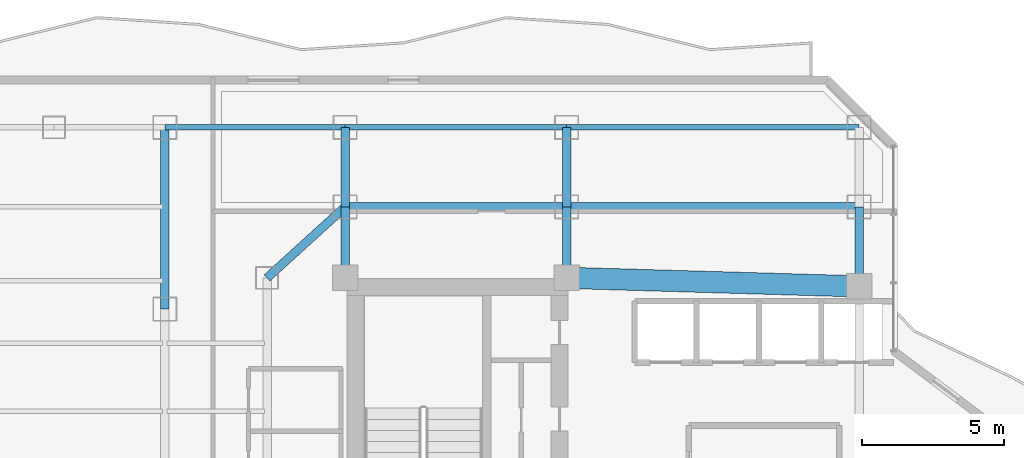
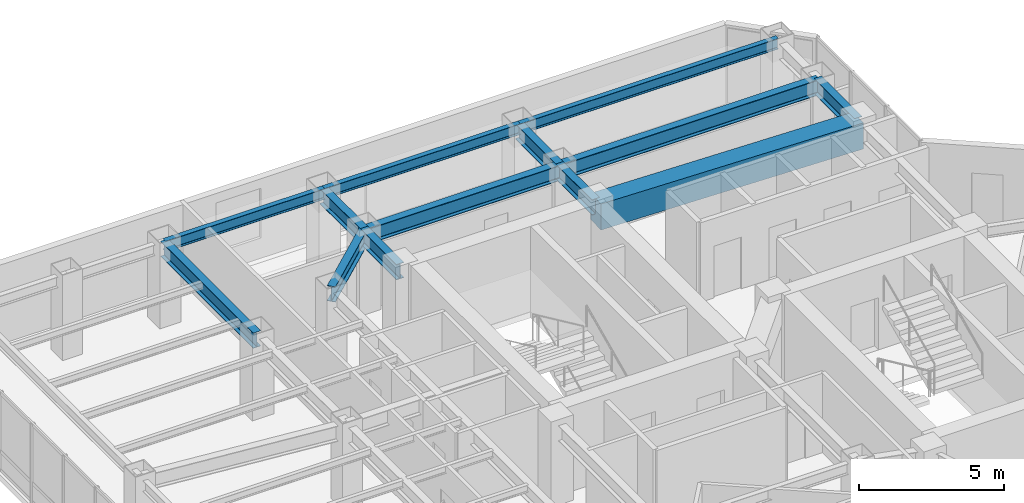
# One storey, part 18 of 26: 13 beams.
"""IFC4 building model written with IfcOpenShell, lengths in metres."""

from ifc_helpers import new_model, si_unit, direction, frame, origin, origin_2d, place, context, subcontext, project, spatial, rectangle, i_section, extrude, material, material_profile, profile_set, type_object, element, save


model = new_model("IFC4")

# Units and contexts
model_context = context("Model", 3, precision=1e-05, world=origin(), true_north=direction((0.0, 1.0)))
body_context = subcontext(model_context, "Body", "Model", "MODEL_VIEW")
ifc_project = project(units=[si_unit("LENGTHUNIT", "METRE"), si_unit("AREAUNIT", "SQUARE_METRE"), si_unit("VOLUMEUNIT", "CUBIC_METRE"), si_unit("PLANEANGLEUNIT", "RADIAN"), si_unit("MASSUNIT", "GRAM", prefix="KILO")], contexts=[model_context])

# Site, building, storey
site_placement = place(None, origin())
site = spatial("IfcSite", under=ifc_project, at=site_placement, CompositionType="ELEMENT")
building_placement = place(site_placement, origin())
building = spatial("IfcBuilding", under=site, at=building_placement, Name="Hatsunagi Terrace Concourse", CompositionType="ELEMENT")
storey_placement = place(building_placement, frame((0.0, 0.0, 152.85009765625)))
storey = spatial("IfcBuildingStorey", under=building, at=storey_placement, Name="L40", CompositionType="ELEMENT", Elevation=152.85009765625)

# Beams
ifc_material_1 = material(Name="Concrete Fc48", Category="concrete")
ifc_material_profile_1 = material_profile(ifc_material_1, rectangle(XDim=0.75, YDim=1.10009765625, at=origin_2d()), Name="RC-750x1100")
ifc_profile_set_1 = profile_set([ifc_material_profile_1], Name="Concrete Fc48")
beam_type_1 = type_object("IfcBeamType", Name="CoreCouplingBeam_RC_750x1100", PredefinedType="BEAM", material=ifc_profile_set_1)
beam_1_placement = place(storey_placement, frame((33.35009765625, 43.300048828125, 2.7998046875), z_axis=(0.999575947545, -0.029119153303, 0.0), x_axis=(0.029119153303, 0.999575947545, 0.0)))
element("IfcBeam", 1, at=beam_1_placement, inside=storey, type_object=beam_type_1, Name="Beam CB-02 CB-L40-2", PredefinedType="BEAM", context=body_context, shape_type="SweptSolid", body=[
    extrude(rectangle(XDim=0.75, YDim=1.10009765625, at=origin_2d()), origin(), (0.0, 0.0, 1.0), 10.30419921875),
])
ifc_material_2 = material(Name="Steel SN490B", Category="steel")
ifc_material_profile_2 = material_profile(ifc_material_2, i_section(OverallWidth=0.300048828125, OverallDepth=0.64990234375, WebThickness=0.012939453125, FlangeThickness=0.02197265625, FilletRadius=0.01806640625, at=origin_2d()), Name="H-650x300x13x22")
ifc_profile_set_2 = profile_set([ifc_material_profile_2], Name="Steel SN490B")
beam_type_2 = type_object("IfcBeamType", Name="OfficeLowGirder_H_650x300", PredefinedType="BEAM", material=ifc_profile_set_2)
for number, where, z_axis, x_axis, name in (
    (2, (25.550048828125, 43.300048828125, 3.02490234375), (0.0, 1.0, 0.0), (-1.0, 0.0, 0.0), "Beam G-05 BM-L40-CN1"),
    (3, (33.35009765625, 43.300048828125, 3.02490234375), (0.0, 1.0, 0.0), (-1.0, 0.0, 0.0), "Beam G-05 BM-L40-CN2"),
):
    element("IfcBeam", number, at=place(storey_placement, frame(where, z_axis=z_axis, x_axis=x_axis)), inside=storey, type_object=beam_type_2, Name=name, PredefinedType="BEAM", context=body_context, shape_type="SweptSolid", body=[
        extrude(i_section(OverallWidth=0.300048828125, OverallDepth=0.64990234375, WebThickness=0.012939453125, FlangeThickness=0.02197265625, FilletRadius=0.01806640625, at=origin_2d()), origin(), (0.0, 0.0, 1.0), 2.5),
    ])
beam_2_placement = place(storey_placement, frame((43.64990234375, 43.0, 3.02490234375), z_axis=(0.0, 1.0, 0.0), x_axis=(-1.0, 0.0, 0.0)))
element("IfcBeam", 4, at=beam_2_placement, inside=storey, type_object=beam_type_2, Name="Beam G-05 BM-L40-CN3", PredefinedType="BEAM", context=body_context, shape_type="SweptSolid", body=[
    extrude(i_section(OverallWidth=0.300048828125, OverallDepth=0.64990234375, WebThickness=0.012939453125, FlangeThickness=0.02197265625, FilletRadius=0.01806640625, at=origin_2d()), origin(), (0.0, 0.0, 1.0), 2.800048828125),
])
beam_3_placement = place(storey_placement, frame((25.550048828125, 45.800048828125, 3.02490234375), z_axis=(1.0, 0.0, 0.0), x_axis=(0.0, 1.0, 0.0)))
element("IfcBeam", 5, at=beam_3_placement, inside=storey, type_object=beam_type_2, Name="Beam G-05 BM-L40-CNEW1", PredefinedType="BEAM", context=body_context, shape_type="SweptSolid", body=[
    extrude(i_section(OverallWidth=0.300048828125, OverallDepth=0.64990234375, WebThickness=0.012939453125, FlangeThickness=0.02197265625, FilletRadius=0.01806640625, at=origin_2d()), origin(), (0.0, 0.0, 1.0), 7.800048828125),
])
beam_4_placement = place(storey_placement, frame((33.35009765625, 45.800048828125, 3.02490234375), z_axis=(1.0, 0.0, 0.0), x_axis=(0.0, 1.0, 0.0)))
element("IfcBeam", 6, at=beam_4_placement, inside=storey, type_object=beam_type_2, Name="Beam G-05 BM-L40-CNEW2", PredefinedType="BEAM", context=body_context, shape_type="SweptSolid", body=[
    extrude(i_section(OverallWidth=0.300048828125, OverallDepth=0.64990234375, WebThickness=0.012939453125, FlangeThickness=0.02197265625, FilletRadius=0.01806640625, at=origin_2d()), origin(), (0.0, 0.0, 1.0), 10.2998046875),
])
for number, where, z_axis, x_axis, name in (
    (7, (25.550048828125, 45.800048828125, 3.02490234375), (0.0, 1.0, 0.0), (-1.0, 0.0, 0.0), "Beam G-05 BM-L40-KN-WN4"),
    (8, (33.35009765625, 45.800048828125, 3.02490234375), (0.0, 1.0, 0.0), (-1.0, 0.0, 0.0), "Beam G-05 BM-L40-KN-WN5"),
):
    element("IfcBeam", number, at=place(storey_placement, frame(where, z_axis=z_axis, x_axis=x_axis)), inside=storey, type_object=beam_type_2, Name=name, PredefinedType="BEAM", context=body_context, shape_type="SweptSolid", body=[
        extrude(i_section(OverallWidth=0.300048828125, OverallDepth=0.64990234375, WebThickness=0.012939453125, FlangeThickness=0.02197265625, FilletRadius=0.01806640625, at=origin_2d()), origin(), (0.0, 0.0, 1.0), 2.800048828125),
    ])
beam_5_placement = place(storey_placement, frame((22.800048828125, 43.300048828125, 3.02490234375), z_axis=(0.739940073396, 0.672672793996, 0.0), x_axis=(-0.672672793996, 0.739940073396, 0.0)))
element("IfcBeam", 9, at=beam_5_placement, inside=storey, type_object=beam_type_2, Name="Beam G-05 BM-L40-CWEW-N", PredefinedType="BEAM", context=body_context, shape_type="SweptSolid", body=[
    extrude(i_section(OverallWidth=0.300048828125, OverallDepth=0.64990234375, WebThickness=0.012939453125, FlangeThickness=0.02197265625, FilletRadius=0.01806640625, at=origin_2d()), origin(), (0.0, 0.0, 1.0), 3.716552734375),
])
beam_6_placement = place(storey_placement, frame((19.199951171875, 42.199951171875, 3.02490234375), z_axis=(0.0, 1.0, 0.0), x_axis=(-1.0, 0.0, 0.0)))
element("IfcBeam", 10, at=beam_6_placement, inside=storey, type_object=beam_type_2, Name="Beam G-05 BM-L40-NS-19-42", PredefinedType="BEAM", context=body_context, shape_type="SweptSolid", body=[
    extrude(i_section(OverallWidth=0.300048828125, OverallDepth=0.64990234375, WebThickness=0.012939453125, FlangeThickness=0.02197265625, FilletRadius=0.01806640625, at=origin_2d()), origin(), (0.0, 0.0, 1.0), 6.400146484375),
])
ifc_material_3 = material(Name="Steel SN490B", Category="steel")
ifc_material_profile_3 = material_profile(ifc_material_3, i_section(OverallWidth=0.199951171875, OverallDepth=0.449951171875, WebThickness=0.009033203125, FlangeThickness=0.013916015625, FilletRadius=0.01611328125, at=origin_2d()), Name="H-450x200x9x14")
ifc_profile_set_3 = profile_set([ifc_material_profile_3], Name="Steel SN490B")
beam_type_3 = type_object("IfcBeamType", Name="PerimeterSpandrel_H_450x200", PredefinedType="SPANDREL", material=ifc_profile_set_3)
beam_7_placement = place(storey_placement, frame((19.199951171875, 48.60009765625, 3.125), z_axis=(1.0, 0.0, 0.0), x_axis=(0.0, 1.0, 0.0)))
element("IfcBeam", 11, at=beam_7_placement, inside=storey, type_object=beam_type_3, Name="Beam SP-02 BM-L40-WN-19", PredefinedType="SPANDREL", context=body_context, shape_type="SweptSolid", body=[
    extrude(i_section(OverallWidth=0.199951171875, OverallDepth=0.449951171875, WebThickness=0.009033203125, FlangeThickness=0.013916015625, FilletRadius=0.01611328125, at=origin_2d()), origin(), (0.0, 0.0, 1.0), 6.35009765625),
])
beam_8_placement = place(storey_placement, frame((25.550048828125, 48.60009765625, 3.125), z_axis=(1.0, 0.0, 0.0), x_axis=(0.0, 1.0, 0.0)))
element("IfcBeam", 12, at=beam_8_placement, inside=storey, type_object=beam_type_3, Name="Beam SP-02 BM-L40-WN-25", PredefinedType="SPANDREL", context=body_context, shape_type="SweptSolid", body=[
    extrude(i_section(OverallWidth=0.199951171875, OverallDepth=0.449951171875, WebThickness=0.009033203125, FlangeThickness=0.013916015625, FilletRadius=0.01611328125, at=origin_2d()), origin(), (0.0, 0.0, 1.0), 7.800048828125),
])
beam_9_placement = place(storey_placement, frame((33.35009765625, 48.60009765625, 3.125), z_axis=(1.0, 0.0, 0.0), x_axis=(0.0, 1.0, 0.0)))
element("IfcBeam", 13, at=beam_9_placement, inside=storey, type_object=beam_type_3, Name="Beam SP-02 BM-L40-WN-33", PredefinedType="SPANDREL", context=body_context, shape_type="SweptSolid", body=[
    extrude(i_section(OverallWidth=0.199951171875, OverallDepth=0.449951171875, WebThickness=0.009033203125, FlangeThickness=0.013916015625, FilletRadius=0.01611328125, at=origin_2d()), origin(), (0.0, 0.0, 1.0), 10.2998046875),
])

save(model, "model.ifc")
